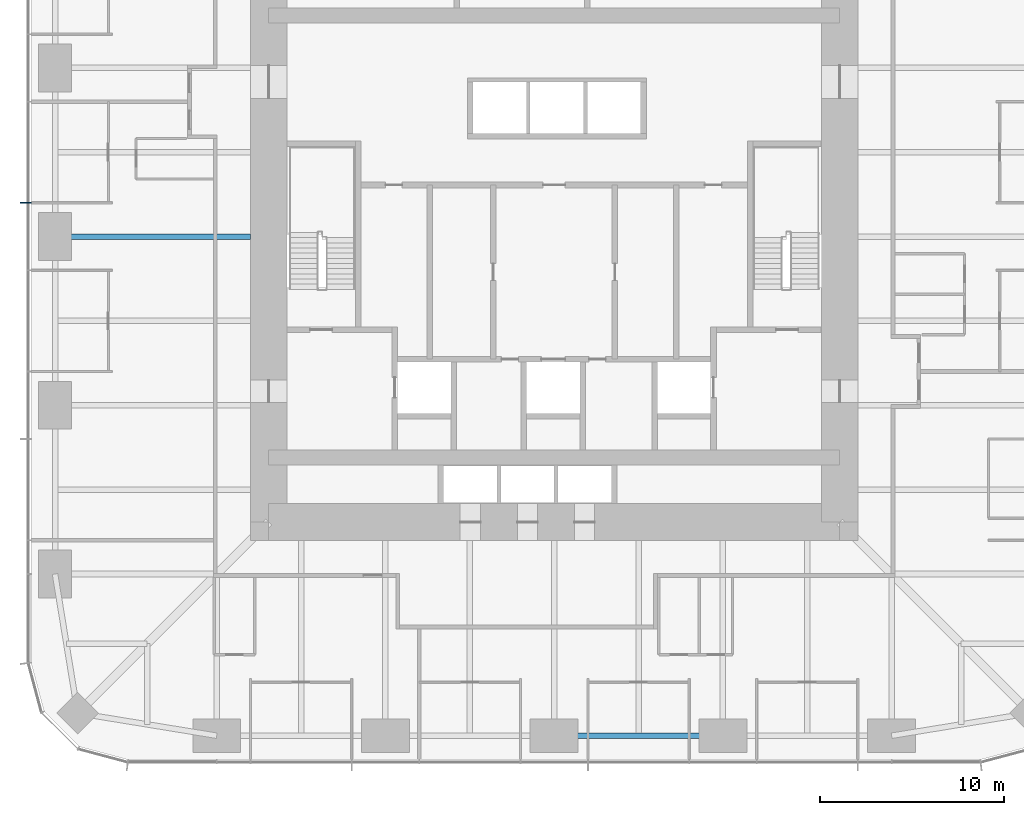
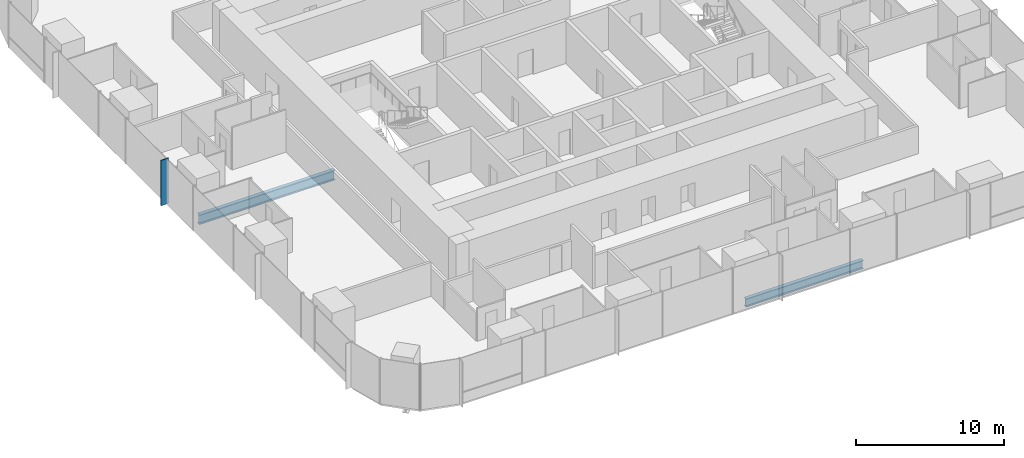
# One storey, part 3 of 12: 2 beams, 1 member, 1 element without a shape of its own.
"""IFC4 building model written with IfcOpenShell, lengths in metres."""

from ifc_helpers import new_model, si_unit, direction, frame, origin, origin_2d, place, context, subcontext, project, spatial, rectangle, i_section, extrude, material, material_profile, profile_set, type_object, element, aggregate, save


model = new_model("IFC4")

# Units and contexts
model_context = context("Model", 3, precision=1e-05, world=origin(), true_north=direction((0.0, 1.0)))
body_context = subcontext(model_context, "Body", "Model", "MODEL_VIEW")
ifc_project = project(units=[si_unit("LENGTHUNIT", "METRE"), si_unit("AREAUNIT", "SQUARE_METRE"), si_unit("VOLUMEUNIT", "CUBIC_METRE"), si_unit("PLANEANGLEUNIT", "RADIAN"), si_unit("MASSUNIT", "GRAM", prefix="KILO")], contexts=[model_context])

# Site, building, storey
site_placement = place(None, origin())
site = spatial("IfcSite", under=ifc_project, at=site_placement, CompositionType="ELEMENT")
building_placement = place(site_placement, origin())
building = spatial("IfcBuilding", under=site, at=building_placement, Name="Khuree Lantern Residences", CompositionType="ELEMENT")
storey_placement = place(building_placement, frame((0.0, 0.0, 167.25)))
storey = spatial("IfcBuildingStorey", under=building, at=storey_placement, Name="L42", CompositionType="ELEMENT", Elevation=167.25)

# Beam
ifc_material_1 = material(Name="Steel S355", Category="steel")
ifc_material_profile_1 = material_profile(ifc_material_1, i_section(OverallWidth=0.300048828125, OverallDepth=0.68994140625, WebThickness=0.014404296875, FlangeThickness=0.027099609375, FilletRadius=0.027099609375, at=origin_2d()), Name="HE 700 A")
ifc_profile_set_1 = profile_set([ifc_material_profile_1], Name="Steel S355")
beam_type_1 = type_object("IfcBeamType", Name="E-24 SPANDREL BEAM HE 700 A", PredefinedType="SPANDREL", material=ifc_profile_set_1)
beam_1_placement = place(storey_placement, frame((9.159912109375, -27.10009765625, -0.594970703125), z_axis=(-1.0, 0.0, 0.0), x_axis=(0.0, -1.0, 0.0)))
element("IfcBeam", 1, at=beam_1_placement, inside=storey, type_object=beam_type_1, Name="Spandrel beam S3", PredefinedType="SPANDREL", context=body_context, shape_type="SweptSolid", body=[
    extrude(i_section(OverallWidth=0.300048828125, OverallDepth=0.68994140625, WebThickness=0.014404296875, FlangeThickness=0.027099609375, FilletRadius=0.027099609375, at=origin_2d()), origin(), (0.0, 0.0, 1.0), 9.159912109375),
])

# Curtain wall, member
ifc_material_2 = material(Name="Bronze anodised aluminium", Category="aluminium")
curtain_wall_type = type_object("IfcCurtainWallType", Name="CW-T1 TOWER FACE CURTAIN WALL", PredefinedType="USERDEFINED", material=ifc_material_2)
curtain_wall_placement = place(storey_placement, origin())
curtain_wall = element("IfcCurtainWall", 2, at=curtain_wall_placement, inside=storey, type_object=curtain_wall_type, Name="L42 WEST FACE CURTAIN WALL", ObjectType="Stick-built curtain wall", PredefinedType="USERDEFINED")
ifc_material_profile_2 = material_profile(ifc_material_2, rectangle(XDim=0.06494140625, YDim=0.60009765625, at=origin_2d()), Name="F1 65X600")
ifc_profile_set_2 = profile_set([ifc_material_profile_2], Name="Bronze anodised aluminium")
member_type = type_object("IfcMemberType", Name="F1 BRONZE FIN MULLION TOWER 65X600", PredefinedType="MULLION", material=ifc_profile_set_2)
member_placement = place(storey_placement, frame((-28.699951171875, 1.83203125, 0.0), z_axis=(0.0, 0.0, 1.0), x_axis=(0.0, -1.0, 0.0)))
member = element("IfcMember", 3, at=member_placement, type_object=member_type, Name="L42 WEST FACE FIN MULLION 37", PredefinedType="MULLION", context=body_context, shape_type="SweptSolid", body=[
    extrude(rectangle(XDim=0.06494140625, YDim=0.60009765625, at=origin_2d()), origin(), (0.0, 0.0, 1.0), 3.75),
])
aggregate(curtain_wall, [member])

# Beam
ifc_material_profile_3 = material_profile(ifc_material_1, i_section(OverallWidth=0.300048828125, OverallDepth=0.800048828125, WebThickness=0.017578125, FlangeThickness=0.032958984375, FilletRadius=0.030029296875, at=origin_2d()), Name="HE 800 B")
ifc_profile_set_3 = profile_set([ifc_material_profile_3], Name="Steel S355")
beam_type_2 = type_object("IfcBeamType", Name="G-24 GIRDER HE 800 B", PredefinedType="BEAM", material=ifc_profile_set_3)
beam_2_placement = place(storey_placement, frame((-27.10009765625, 0.0, -0.64990234375), z_axis=(1.0, 0.0, 0.0), x_axis=(0.0, 1.0, 0.0)))
element("IfcBeam", 4, at=beam_2_placement, inside=storey, type_object=beam_type_2, Name="Girder W3", PredefinedType="BEAM", context=body_context, shape_type="SweptSolid", body=[
    extrude(i_section(OverallWidth=0.300048828125, OverallDepth=0.800048828125, WebThickness=0.017578125, FlangeThickness=0.032958984375, FilletRadius=0.030029296875, at=origin_2d()), origin(), (0.0, 0.0, 1.0), 10.60009765625),
])

save(model, "model.ifc")
